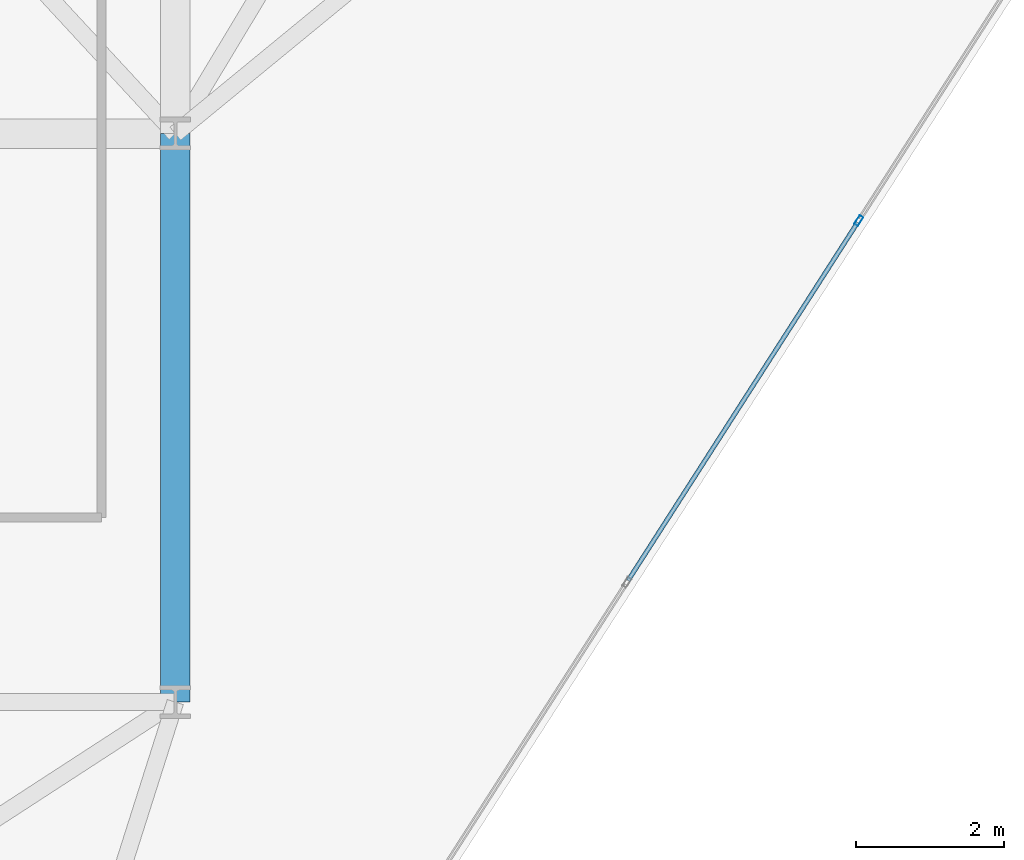
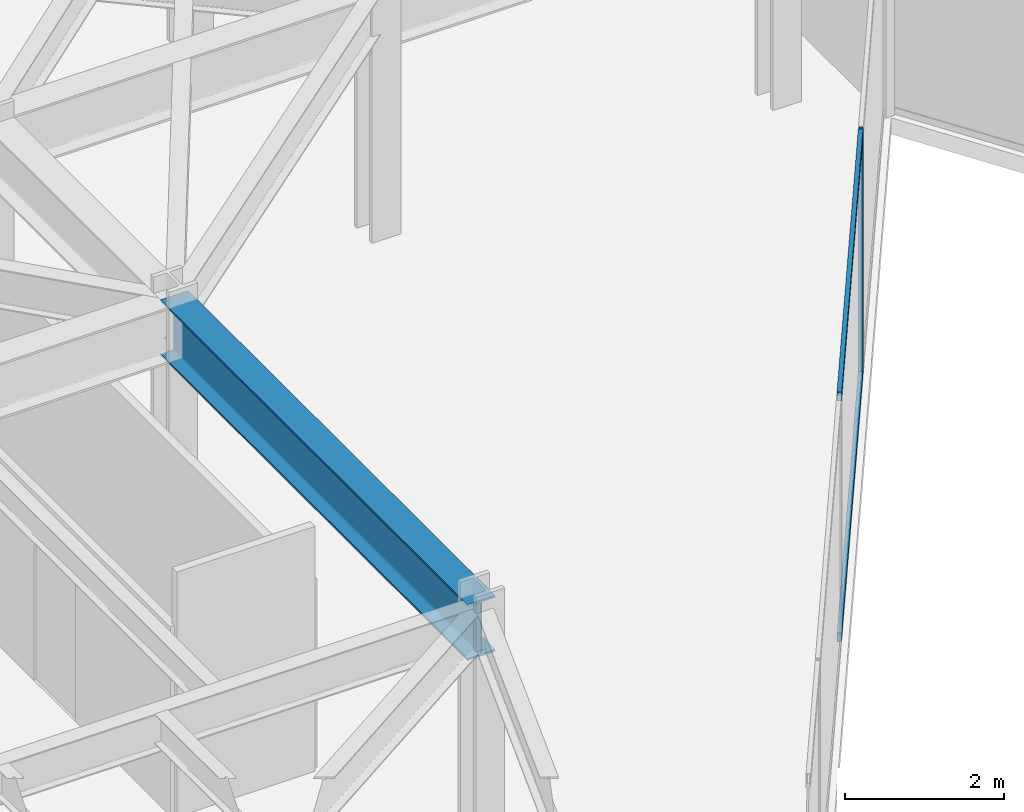
# One storey, part 8 of 26: 3 members, 1 beam, 1 element without a shape of its own.
"""IFC4 building model written with IfcOpenShell, lengths in metres."""

from ifc_helpers import new_model, si_unit, direction, frame, origin, origin_2d, place, context, subcontext, project, spatial, hollow_rectangle, i_section, extrude, material, layer, layer_set, material_profile, profile_set, type_object, element, aggregate, save


model = new_model("IFC4")

# Units and contexts
model_context = context("Model", 3, precision=1e-05, world=origin(), true_north=direction((0.0, 1.0)))
body_context = subcontext(model_context, "Body", "Model", "MODEL_VIEW")
ifc_project = project(units=[si_unit("LENGTHUNIT", "METRE"), si_unit("AREAUNIT", "SQUARE_METRE"), si_unit("VOLUMEUNIT", "CUBIC_METRE"), si_unit("PLANEANGLEUNIT", "RADIAN"), si_unit("MASSUNIT", "GRAM", prefix="KILO")], contexts=[model_context])

# Site, building, storey
site_placement = place(None, origin())
site = spatial("IfcSite", under=ifc_project, at=site_placement, CompositionType="ELEMENT")
building_placement = place(site_placement, origin())
building = spatial("IfcBuilding", under=site, at=building_placement, Name="Kravanh Interchange Tower", CompositionType="ELEMENT")
storey_placement = place(building_placement, frame((0.0, 0.0, 136.0)))
storey = spatial("IfcBuildingStorey", under=building, at=storey_placement, Name="L32", CompositionType="ELEMENT", Elevation=136.0)

# Curtain wall, members
ifc_material_1 = material(Name="Anodised Bronze Aluminium", Category="aluminium")
ifc_layer = layer(ifc_material_1, 0.179931640625)
ifc_layer_set = layer_set([ifc_layer], Name="Unitised Curtain Wall System CW-Z2 Mid Office")
curtain_wall_type = type_object("IfcCurtainWallType", Name="Unitised Curtain Wall System CW-Z2 Mid Office", PredefinedType="NOTDEFINED", material=ifc_layer_set)
curtain_wall_placement = place(storey_placement, origin())
curtain_wall = element("IfcCurtainWall", 1, at=curtain_wall_placement, inside=storey, type_object=curtain_wall_type, Name="L32 Unitised Curtain Wall CW-L32-05", PredefinedType="NOTDEFINED")
ifc_material_2 = material(Name="Anodised Bronze Aluminium", Category="aluminium")
ifc_material_profile_1 = material_profile(ifc_material_2, hollow_rectangle(XDim=0.06005859375, YDim=0.139892578125, WallThickness=0.00390625, at=origin_2d()), Name="ALU60X140X4")
ifc_profile_set_1 = profile_set([ifc_material_profile_1], Name="Anodised Bronze Aluminium")
member_type_1 = type_object("IfcMemberType", Name="Curtain Wall Mullion ALU60X140X4 Bronze", PredefinedType="MULLION", material=ifc_profile_set_1)
member_1_placement = place(storey_placement, frame((36.45849609375, 21.021728515625, 0.0), z_axis=(0.0, 0.0, 1.0), x_axis=(0.841879939476, -0.539664865919, 0.0)))
member_1 = element("IfcMember", 2, at=member_1_placement, type_object=member_type_1, Name="CW-Z2 mullion 2", PredefinedType="MULLION", context=body_context, shape_type="SweptSolid", body=[
    extrude(hollow_rectangle(XDim=0.06005859375, YDim=0.139892578125, WallThickness=0.00390625, at=origin_2d()), origin(), (0.0, 0.0, 1.0), 3.75),
])
ifc_material_3 = material(Name="Anodised Bronze Aluminium", Category="aluminium")
ifc_material_profile_2 = material_profile(ifc_material_3, hollow_rectangle(XDim=0.06005859375, YDim=0.139892578125, WallThickness=0.00390625, at=origin_2d()), Name="ALU60X140X4")
ifc_profile_set_2 = profile_set([ifc_material_profile_2], Name="Anodised Bronze Aluminium")
member_type_2 = type_object("IfcMemberType", Name="Curtain Wall Transom ALU60X140X4 Bronze", PredefinedType="USERDEFINED", material=ifc_profile_set_2)
member_2_placement = place(storey_placement, frame((36.4423828125, 20.99658203125, 0.030029296875), z_axis=(-0.539647630778, -0.841890987359, 0.0), x_axis=(0.841890987359, -0.539647630778, 0.0)))
member_2 = element("IfcMember", 3, at=member_2_placement, type_object=member_type_2, Name="CW-Z2 transom 2.1", ObjectType="TRANSOM", PredefinedType="USERDEFINED", context=body_context, shape_type="SweptSolid", body=[
    extrude(hollow_rectangle(XDim=0.06005859375, YDim=0.139892578125, WallThickness=0.00390625, at=origin_2d()), origin(), (0.0, 0.0, 1.0), 5.760986328125),
])
member_3_placement = place(storey_placement, frame((36.4423828125, 20.99658203125, 3.719970703125), z_axis=(-0.539647630778, -0.841890987359, 0.0), x_axis=(0.841890987359, -0.539647630778, 0.0)))
member_3 = element("IfcMember", 4, at=member_3_placement, type_object=member_type_2, Name="CW-Z2 transom 2.2", ObjectType="TRANSOM", PredefinedType="USERDEFINED", context=body_context, shape_type="SweptSolid", body=[
    extrude(hollow_rectangle(XDim=0.06005859375, YDim=0.139892578125, WallThickness=0.00390625, at=origin_2d()), origin(), (0.0, 0.0, 1.0), 5.760986328125),
])
aggregate(curtain_wall, [member_1, member_2, member_3])

# Beam
ifc_material_4 = material(Name="Structural Steel S355", Category="steel")
ifc_material_profile_3 = material_profile(ifc_material_4, i_section(OverallWidth=0.39990234375, OverallDepth=0.85595703125, WebThickness=0.018310546875, FlangeThickness=0.029296875, FilletRadius=0.02490234375, at=origin_2d()), Name="W33X201")
ifc_profile_set_3 = profile_set([ifc_material_profile_3], Name="Structural Steel S355")
beam_type = type_object("IfcBeamType", Name="Floor Beam W33X201 Structural Steel S355", PredefinedType="BEAM", material=ifc_profile_set_3)
beam_placement = place(storey_placement, frame((27.199951171875, 14.5, 3.322021484375), z_axis=(0.0, 1.0, 0.0), x_axis=(-1.0, 0.0, 0.0)))
element("IfcBeam", 5, at=beam_placement, inside=storey, type_object=beam_type, Name="L32 Primary Floor Girder 102", PredefinedType="BEAM", context=body_context, shape_type="SweptSolid", body=[
    extrude(i_section(OverallWidth=0.39990234375, OverallDepth=0.85595703125, WebThickness=0.018310546875, FlangeThickness=0.029296875, FilletRadius=0.02490234375, at=origin_2d()), origin(), (0.0, 0.0, 1.0), 7.699951171875),
])

save(model, "model.ifc")
